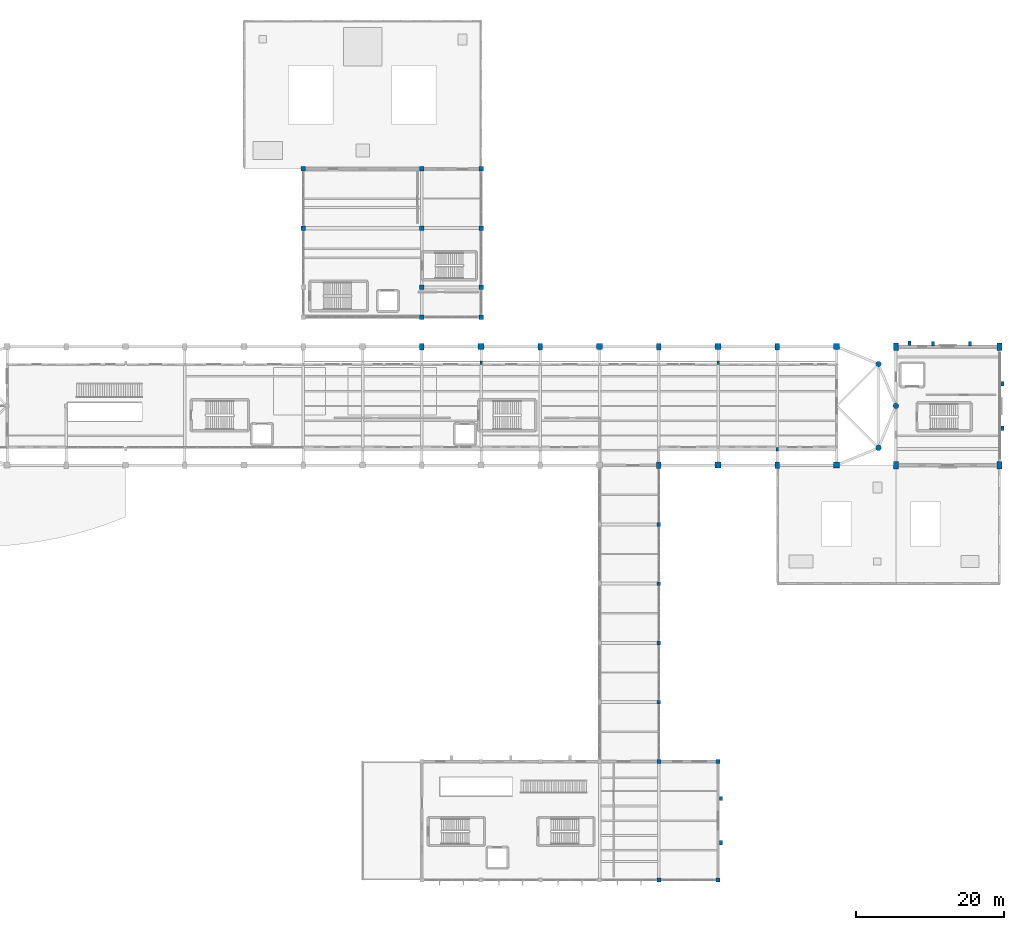
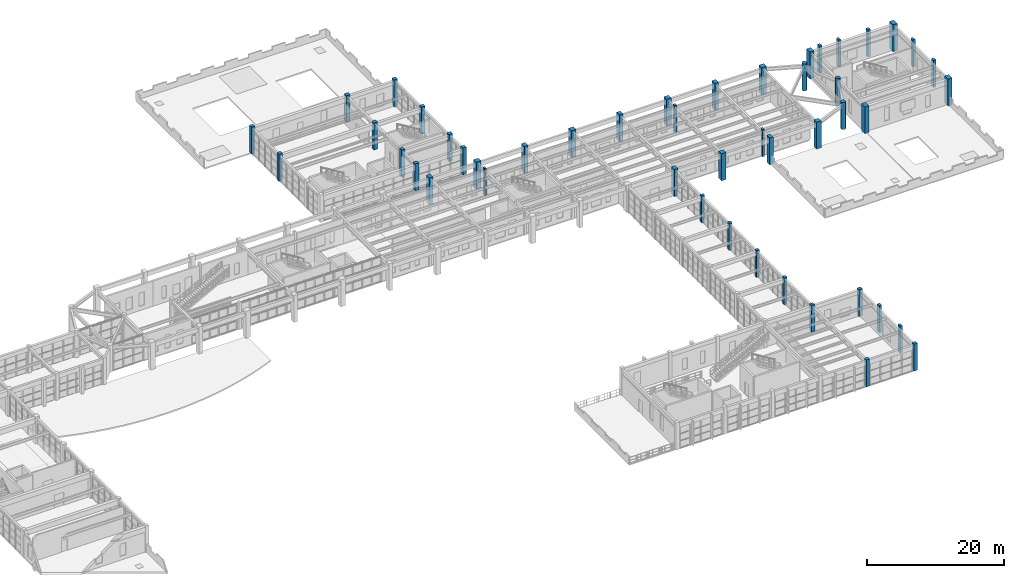
# One storey, part 2 of 59: 47 columns.
"""IFC4 building model written with IfcOpenShell, lengths in metres."""

import ifcopenshell
import ifcopenshell.guid

model = None  # the IFC model being written
_history = None  # IfcOwnerHistory: only IFC2X3 demands one
_inside = {}  # id of a spatial element -> (the spatial element, [elements in it])
_under = {}  # id of a project, library or spatial element -> (it, [spatial elements below it])
_declared = {}  # id of a project -> (the project, [libraries it declares])
_typed = {}  # id of a type object -> (the type object, [elements of that type])
_made_of = {}  # id of a material, layer set ... -> (it, [elements and type objects made of it])


def new_model(schema):
    """Start an empty IFC model of exactly this schema.

    Asked for "IFC4X3", IfcOpenShell would pick the latest addendum, in which some entities
    have other attributes; the version numbers below select the first issue.
    IFC2X3 requires an IfcOwnerHistory on every rooted entity: one is made here for all.
    """
    global model, _history
    if schema == "IFC4X3":
        model = ifcopenshell.file(schema_version=(4, 3, 0, 0))
    else:
        model = ifcopenshell.file(schema=schema)
    _inside.clear()
    _under.clear()
    _declared.clear()
    _typed.clear()
    _made_of.clear()
    _history = None
    if model.schema == "IFC2X3":
        org = make("IfcOrganization", Name="unknown")
        user = make(
            "IfcPersonAndOrganization",
            ThePerson=make("IfcPerson", FamilyName="unknown"),
            TheOrganization=org,
        )
        app = make(
            "IfcApplication",
            ApplicationDeveloper=org,
            Version="unknown",
            ApplicationFullName="unknown",
            ApplicationIdentifier="unknown",
        )
        _history = make(
            "IfcOwnerHistory",
            OwningUser=user,
            OwningApplication=app,
            ChangeAction="ADDED",
            CreationDate=0,
        )
    return model


def make(cls, **values):
    """One entity of the class cls with the attributes given. An attribute that is None is left unset."""
    return model.create_entity(
        cls, **{name: value for name, value in values.items() if value is not None}
    )


def rooted(cls, **values):
    """An entity with a GlobalId (a new one), such as an element, a storey or a relation."""
    return make(cls, GlobalId=ifcopenshell.guid.new(), OwnerHistory=_history, **values)


def si_unit(unit_type, name, prefix=None):
    """IfcSIUnit, for example si_unit("LENGTHUNIT", "METRE", prefix="MILLI")."""
    return make("IfcSIUnit", UnitType=unit_type, Prefix=prefix, Name=name)


def assignment(units):
    """IfcUnitAssignment: the units of a project."""
    return None if units is None else make("IfcUnitAssignment", Units=units)


def point(xyz):
    """IfcCartesianPoint."""
    return None if xyz is None else make("IfcCartesianPoint", Coordinates=xyz)


def direction(xyz):
    """IfcDirection."""
    return None if xyz is None else make("IfcDirection", DirectionRatios=xyz)


def frame(location, z_axis=None, x_axis=None):
    """IfcAxis2Placement3D, a coordinate frame: its origin and axes. An axis left out is left unset."""
    return make(
        "IfcAxis2Placement3D",
        Location=point(location),
        Axis=direction(z_axis),
        RefDirection=direction(x_axis),
    )


def frame_2d(location, x_axis=None):
    """IfcAxis2Placement2D, a coordinate frame in the plane: its origin and x axis."""
    return make(
        "IfcAxis2Placement2D", Location=point(location), RefDirection=direction(x_axis)
    )


def origin():
    """The frame at (0, 0, 0) with its axes left unset."""
    return frame((0.0, 0.0, 0.0))


def origin_2d():
    """The frame at (0, 0) in the plane with its x axis left unset."""
    return frame_2d((0.0, 0.0))


def place(relative_to, where):
    """IfcLocalPlacement: puts the frame where relative to a parent placement (None: the world)."""
    return make(
        "IfcLocalPlacement", PlacementRelTo=relative_to, RelativePlacement=where
    )


def context(
    kind, dimensions, precision=None, world=None, true_north=None, identifier=None
):
    """IfcGeometricRepresentationContext, for example the 3D "Model" context."""
    return make(
        "IfcGeometricRepresentationContext",
        ContextIdentifier=identifier,
        ContextType=kind,
        CoordinateSpaceDimension=dimensions,
        Precision=precision,
        WorldCoordinateSystem=world,
        TrueNorth=true_north,
    )


def subcontext(parent, identifier, kind, view, scale=None):
    """IfcGeometricRepresentationSubContext, for example "Body" below "Model"."""
    return make(
        "IfcGeometricRepresentationSubContext",
        ContextIdentifier=identifier,
        ContextType=kind,
        ParentContext=parent,
        TargetScale=scale,
        TargetView=view,
    )


def project(units=None, contexts=None):
    """IfcProject with its units and contexts."""
    return rooted(
        "IfcProject",
        Name="project",
        RepresentationContexts=contexts,
        UnitsInContext=assignment(units),
    )


def spatial(cls, under=None, at=None, **own):
    """A site, building, storey or space (cls), placed at a placement, below another one or the project."""
    s = rooted(cls, ObjectPlacement=at, **own)
    if under is not None:
        _under.setdefault(under.id(), (under, []))[1].append(s)
    return s


def profile(cls, at=None, kind="AREA", **sizes):
    """A parametric profile (cls). Its sizes go by their IFC names, for example OverallWidth=200.0."""
    return make(cls, ProfileType=kind, Position=at, **sizes)


def rectangle(**sizes):
    """IfcRectangleProfileDef."""
    return profile("IfcRectangleProfileDef", **sizes)


def circle(**sizes):
    """IfcCircleProfileDef."""
    return profile("IfcCircleProfileDef", **sizes)


def extrude(swept, where, along, depth):
    """IfcExtrudedAreaSolid: the profile swept, set in the frame where, extruded along a direction by depth."""
    return make(
        "IfcExtrudedAreaSolid",
        SweptArea=swept,
        Position=where,
        ExtrudedDirection=direction(along),
        Depth=depth,
    )


def shape(context_of_items, identifier, shape_type, items):
    """IfcShapeRepresentation: the items that make up one representation, for example the "Body"."""
    return make(
        "IfcShapeRepresentation",
        ContextOfItems=context_of_items,
        RepresentationIdentifier=identifier,
        RepresentationType=shape_type,
        Items=items,
    )


def material(Name=None, Category=None):
    """IfcMaterial."""
    return make("IfcMaterial", Name=Name, Category=Category)


def material_profile(
    of_material, cross_section, Name=None, Category=None, Priority=None
):
    """IfcMaterialProfile: a cross section and its material."""
    return make(
        "IfcMaterialProfile",
        Name=Name,
        Material=of_material,
        Profile=cross_section,
        Priority=Priority,
        Category=Category,
    )


def profile_set(profiles, Name=None, composite=None):
    """IfcMaterialProfileSet."""
    return make(
        "IfcMaterialProfileSet",
        Name=Name,
        MaterialProfiles=profiles,
        CompositeProfile=composite,
    )


def made_of(thing, what):
    """Note that an element or type object is made of a material, layer set ...; save() writes the relation."""
    if what is not None:
        _made_of.setdefault(what.id(), (what, []))[1].append(thing)
    return thing


def type_object(cls, material=None, **own):
    """A type object (cls), such as IfcWallType, which elements share."""
    return made_of(rooted(cls, **own), material)


def element(
    cls,
    number,
    at=None,
    inside=None,
    cuts=None,
    type_object=None,
    material=None,
    context=None,
    identifier="Body",
    shape_type=None,
    held_by="IfcProductDefinitionShape",
    body=None,
    shapes=None,
    **own,
):
    """One element of the class cls, such as IfcWall. Its Tag is "e" and its number.

    at: its placement. inside: the storey or other place that contains it. cuts: it is an
    opening in that element (IfcRelVoidsElement). A single representation is given by context,
    identifier, shape_type and body (its items); several are given by shapes. held_by: the class
    of the entity that holds the representations. save() writes the other relations.
    """
    e = rooted(cls, Tag="e%d" % number, ObjectPlacement=at, **own)
    if body is not None:
        shapes = [shape(context, identifier, shape_type, body)]
    if shapes is not None:
        e.Representation = make(held_by, Representations=shapes)
    if inside is not None:
        _inside.setdefault(inside.id(), (inside, []))[1].append(e)
    if cuts is not None:
        rooted(
            "IfcRelVoidsElement", RelatingBuildingElement=cuts, RelatedOpeningElement=e
        )
    if type_object is not None:
        _typed.setdefault(type_object.id(), (type_object, []))[1].append(e)
    return made_of(e, material)


def aggregate(whole, parts):
    """IfcRelAggregates: a whole, such as a stair, and the parts it consists of."""
    return rooted("IfcRelAggregates", RelatingObject=whole, RelatedObjects=parts)


def save(model, path):
    """Write the relations noted so far, then the file.

    IfcRelAggregates (storeys below a building ...), IfcRelContainedInSpatialStructure (elements
    in a storey), IfcRelDefinesByType, IfcRelAssociatesMaterial and IfcRelDeclares: one each for
    every whole, place, type object, material and project.
    """
    for whole, parts in _under.values():
        aggregate(whole, parts)
    for where, things in _inside.values():
        rooted(
            "IfcRelContainedInSpatialStructure",
            RelatedElements=things,
            RelatingStructure=where,
        )
    for kind, things in _typed.values():
        rooted("IfcRelDefinesByType", RelatedObjects=things, RelatingType=kind)
    for what, things in _made_of.values():
        rooted("IfcRelAssociatesMaterial", RelatedObjects=things, RelatingMaterial=what)
    for by, libraries in _declared.values():
        rooted("IfcRelDeclares", RelatingContext=by, RelatedDefinitions=libraries)
    model.write(path)


model = new_model("IFC4")

# Units and contexts
model_context = context("Model", 3, precision=1e-05, world=origin(), true_north=direction((0.0, 1.0)))
body_context = subcontext(model_context, "Body", "Model", "MODEL_VIEW")
ifc_project = project(units=[si_unit("LENGTHUNIT", "METRE"), si_unit("AREAUNIT", "SQUARE_METRE"), si_unit("VOLUMEUNIT", "CUBIC_METRE"), si_unit("PLANEANGLEUNIT", "RADIAN"), si_unit("MASSUNIT", "GRAM", prefix="KILO")], contexts=[model_context])

# Site, building, storey
site_placement = place(None, origin())
site = spatial("IfcSite", under=ifc_project, at=site_placement, CompositionType="ELEMENT")
building_placement = place(site_placement, origin())
building = spatial("IfcBuilding", under=site, at=building_placement, Name="Serraluz Foothill Cableway Terminal", CompositionType="ELEMENT")
storey_placement = place(building_placement, frame((0.0, 0.0, 4.800048828125)))
storey = spatial("IfcBuildingStorey", under=building, at=storey_placement, Name="L01", CompositionType="ELEMENT", Elevation=4.800048828125)

# Columns
ifc_material_1 = material(Name="Concrete C35/45 (f'c 35 MPa)", Category="concrete")
ifc_material_profile_1 = material_profile(ifc_material_1, rectangle(XDim=0.5, YDim=0.5, at=origin_2d()), Name="RC 500x500")
ifc_profile_set_1 = profile_set([ifc_material_profile_1], Name="Concrete C35/45 (f'c 35 MPa)")
column_type_1 = type_object("IfcColumnType", Name="TYP-COL-RC500", PredefinedType="COLUMN", material=ifc_profile_set_1)
for number, where, z_axis, x_axis, name in (
    (1, (128.0, 24.0, 0.0), (0.0, 0.0, 1.0), (1.0, 0.0, 0.0), "Column COL-V3-CL-128-24-L01"),
    (2, (128.0, 32.0, 0.0), (0.0, 0.0, 1.0), (1.0, 0.0, 0.0), "Column COL-V3-CL-128-32-L01"),
    (3, (128.0, 40.0, 0.0), (0.0, 0.0, 1.0), (1.0, 0.0, 0.0), "Column COL-V3-CL-128-40-L01"),
    (4, (128.0, 48.0, 0.0), (0.0, 0.0, 1.0), (1.0, 0.0, 0.0), "Column COL-V3-CL-128-48-L01"),
):
    element("IfcColumn", number, at=place(storey_placement, frame(where, z_axis=z_axis, x_axis=x_axis)), inside=storey, type_object=column_type_1, Name=name, PredefinedType="COLUMN", context=body_context, shape_type="SweptSolid", body=[
        extrude(rectangle(XDim=0.5, YDim=0.5, at=origin_2d()), origin(), (0.0, 0.0, 1.0), 4.800048828125),
    ])
ifc_material_profile_2 = material_profile(ifc_material_1, rectangle(XDim=0.550048828125, YDim=0.550048828125, at=origin_2d()), Name="RC 550x550")
ifc_profile_set_2 = profile_set([ifc_material_profile_2], Name="Concrete C35/45 (f'c 35 MPa)")
column_type_2 = type_object("IfcColumnType", Name="TYP-COL-RC550", PredefinedType="COLUMN", material=ifc_profile_set_2)
for number, where, z_axis, x_axis, name in (
    (5, (128.0, 0.0, 0.0), (0.0, 0.0, 1.0), (1.0, 0.0, 0.0), "Column COL-V3-128-0-L01"),
    (6, (128.0, 16.0, 0.0), (0.0, 0.0, 1.0), (1.0, 0.0, 0.0), "Column COL-V3-128-16-L01"),
    (7, (136.0, 0.0, 0.0), (0.0, 0.0, 1.0), (1.0, 0.0, 0.0), "Column COL-V3-136-0-L01"),
    (8, (136.0, 16.0, 0.0), (0.0, 0.0, 1.0), (1.0, 0.0, 0.0), "Column COL-V3-136-16-L01"),
):
    element("IfcColumn", number, at=place(storey_placement, frame(where, z_axis=z_axis, x_axis=x_axis)), inside=storey, type_object=column_type_2, Name=name, PredefinedType="COLUMN", context=body_context, shape_type="SweptSolid", body=[
        extrude(rectangle(XDim=0.550048828125, YDim=0.550048828125, at=origin_2d()), origin(), (0.0, 0.0, 1.0), 4.800048828125),
    ])
ifc_material_profile_3 = material_profile(ifc_material_1, rectangle(XDim=0.60009765625, YDim=0.60009765625, at=origin_2d()), Name="RC 600x600")
ifc_profile_set_3 = profile_set([ifc_material_profile_3], Name="Concrete C35/45 (f'c 35 MPa)")
column_type_3 = type_object("IfcColumnType", Name="TYP-COL-RC600", PredefinedType="COLUMN", material=ifc_profile_set_3)
for number, where, z_axis, x_axis, name in (
    (9, (80.0, 88.0, 0.0), (0.0, 0.0, 1.0), (1.0, 0.0, 0.0), "Column COL-V4-80-880-L01"),
    (10, (80.0, 96.0, 0.0), (0.0, 0.0, 1.0), (1.0, 0.0, 0.0), "Column COL-V4-80-960-L01"),
    (11, (96.0, 76.0, 0.0), (0.0, 0.0, 1.0), (1.0, 0.0, 0.0), "Column COL-V4-96-760-L01"),
    (12, (96.0, 80.0, 0.0), (0.0, 0.0, 1.0), (1.0, 0.0, 0.0), "Column COL-V4-96-800-L01"),
    (13, (96.0, 88.0, 0.0), (0.0, 0.0, 1.0), (1.0, 0.0, 0.0), "Column COL-V4-96-880-L01"),
    (14, (96.0, 96.0, 0.0), (0.0, 0.0, 1.0), (1.0, 0.0, 0.0), "Column COL-V4-96-960-L01"),
    (15, (104.0, 76.0, 0.0), (0.0, 0.0, 1.0), (1.0, 0.0, 0.0), "Column COL-V4-104-760-L01"),
    (16, (104.0, 80.0, 0.0), (0.0, 0.0, 1.0), (1.0, 0.0, 0.0), "Column COL-V4-104-800-L01"),
    (17, (104.0, 88.0, 0.0), (0.0, 0.0, 1.0), (1.0, 0.0, 0.0), "Column COL-V4-104-880-L01"),
    (18, (104.0, 96.0, 0.0), (0.0, 0.0, 1.0), (1.0, 0.0, 0.0), "Column COL-V4-104-960-L01"),
):
    element("IfcColumn", number, at=place(storey_placement, frame(where, z_axis=z_axis, x_axis=x_axis)), inside=storey, type_object=column_type_3, Name=name, PredefinedType="COLUMN", context=body_context, shape_type="SweptSolid", body=[
        extrude(rectangle(XDim=0.60009765625, YDim=0.60009765625, at=origin_2d()), origin(), (0.0, 0.0, 1.0), 4.800048828125),
    ])
ifc_material_profile_4 = material_profile(ifc_material_1, rectangle(XDim=0.60009765625, YDim=0.85009765625, at=origin_2d()), Name="RC 600x850")
ifc_profile_set_4 = profile_set([ifc_material_profile_4], Name="Concrete C35/45 (f'c 35 MPa)")
column_type_4 = type_object("IfcColumnType", Name="TYP-COL-RC600X850", PredefinedType="COLUMN", material=ifc_profile_set_4)
for number, where, z_axis, x_axis, name in (
    (19, (96.0, 72.0, 0.0), (0.0, 0.0, 1.0), (1.0, 0.0, 0.0), "Column COL-V1-N-96-L01"),
    (20, (112.0, 72.0, 0.0), (0.0, 0.0, 1.0), (1.0, 0.0, 0.0), "Column COL-V1-N-112-L01"),
    (21, (128.0, 56.0, 0.0), (0.0, 0.0, 1.0), (1.0, 0.0, 0.0), "Column COL-V1-S-128-L01"),
    (22, (128.0, 72.0, 0.0), (0.0, 0.0, 1.0), (1.0, 0.0, 0.0), "Column COL-V1-N-128-L01"),
    (23, (144.0, 56.0, 0.0), (0.0, 0.0, 1.0), (1.0, 0.0, 0.0), "Column COL-V1-S-144-L01"),
    (24, (144.0, 72.0, 0.0), (0.0, 0.0, 1.0), (1.0, 0.0, 0.0), "Column COL-V1-N-144-L01"),
):
    element("IfcColumn", number, at=place(storey_placement, frame(where, z_axis=z_axis, x_axis=x_axis)), inside=storey, type_object=column_type_4, Name=name, PredefinedType="COLUMN", context=body_context, shape_type="SweptSolid", body=[
        extrude(rectangle(XDim=0.60009765625, YDim=0.85009765625, at=origin_2d()), origin(), (0.0, 0.0, 1.0), 4.800048828125),
    ])
ifc_material_profile_5 = material_profile(ifc_material_1, rectangle(XDim=0.699951171875, YDim=1.0, at=origin_2d()), Name="RC 700x1000")
ifc_profile_set_5 = profile_set([ifc_material_profile_5], Name="Concrete C35/45 (f'c 35 MPa)")
column_type_5 = type_object("IfcColumnType", Name="TYP-COL-RC700X1000", PredefinedType="COLUMN", material=ifc_profile_set_5)
for number, where, z_axis, x_axis, name in (
    (25, (160.0, 56.0, 0.0), (0.0, 0.0, 1.0), (1.0, 0.0, 0.0), "Column COL-V2-160-56-L01"),
    (26, (160.0, 72.0, 0.0), (0.0, 0.0, 1.0), (1.0, 0.0, 0.0), "Column COL-V2-160-72-L01"),
    (27, (174.0, 56.0, 0.0), (0.0, 0.0, 1.0), (1.0, 0.0, 0.0), "Column COL-V2-174-56-L01"),
    (28, (174.0, 72.0, 0.0), (0.0, 0.0, 1.0), (1.0, 0.0, 0.0), "Column COL-V2-174-72-L01"),
):
    element("IfcColumn", number, at=place(storey_placement, frame(where, z_axis=z_axis, x_axis=x_axis)), inside=storey, type_object=column_type_5, Name=name, PredefinedType="COLUMN", context=body_context, shape_type="SweptSolid", body=[
        extrude(rectangle(XDim=0.699951171875, YDim=1.0, at=origin_2d()), origin(), (0.0, 0.0, 1.0), 4.800048828125),
    ])
ifc_material_profile_6 = material_profile(ifc_material_1, rectangle(XDim=0.800048828125, YDim=0.800048828125, at=origin_2d()), Name="RC 800x800")
ifc_profile_set_6 = profile_set([ifc_material_profile_6], Name="Concrete C35/45 (f'c 35 MPa)")
column_type_6 = type_object("IfcColumnType", Name="TYP-COL-RC800", PredefinedType="COLUMN", material=ifc_profile_set_6)
for number, where, z_axis, x_axis, name in (
    (29, (104.0, 72.0, 0.0), (0.0, 0.0, 1.0), (1.0, 0.0, 0.0), "Column COL-V1-N-104-L01"),
    (30, (120.0, 72.0, 0.0), (0.0, 0.0, 1.0), (1.0, 0.0, 0.0), "Column COL-V1-N-120-L01"),
    (31, (136.0, 56.0, 0.0), (0.0, 0.0, 1.0), (1.0, 0.0, 0.0), "Column COL-V1-S-136-L01"),
    (32, (136.0, 72.0, 0.0), (0.0, 0.0, 1.0), (1.0, 0.0, 0.0), "Column COL-V1-N-136-L01"),
    (33, (152.0, 56.0, 0.0), (0.0, 0.0, 1.0), (1.0, 0.0, 0.0), "Column COL-V1-S-152-L01"),
    (34, (152.0, 72.0, 0.0), (0.0, 0.0, 1.0), (1.0, 0.0, 0.0), "Column COL-V1-N-152-L01"),
):
    element("IfcColumn", number, at=place(storey_placement, frame(where, z_axis=z_axis, x_axis=x_axis)), inside=storey, type_object=column_type_6, Name=name, PredefinedType="COLUMN", context=body_context, shape_type="SweptSolid", body=[
        extrude(rectangle(XDim=0.800048828125, YDim=0.800048828125, at=origin_2d()), origin(), (0.0, 0.0, 1.0), 4.800048828125),
    ])
ifc_material_profile_7 = material_profile(ifc_material_1, circle(Radius=0.375, at=origin_2d()), Name="RC D750")
ifc_profile_set_7 = profile_set([ifc_material_profile_7], Name="Concrete C35/45 (f'c 35 MPa)")
column_type_7 = type_object("IfcColumnType", Name="TYP-COL-RCD750", PredefinedType="COLUMN", material=ifc_profile_set_7)
for number, where, z_axis, x_axis, name in (
    (35, (157.656982421875, 58.343017578125, 0.0), (0.0, 0.0, 1.0), (1.0, 0.0, 0.0), "Column COL-V1-ARC-E1-L01"),
    (36, (160.0, 64.0, 0.0), (0.0, 0.0, 1.0), (1.0, 0.0, 0.0), "Column COL-V1-ARC-E2-L01"),
    (37, (157.656982421875, 69.656982421875, 0.0), (0.0, 0.0, 1.0), (1.0, 0.0, 0.0), "Column COL-V1-ARC-E3-L01"),
):
    element("IfcColumn", number, at=place(storey_placement, frame(where, z_axis=z_axis, x_axis=x_axis)), inside=storey, type_object=column_type_7, Name=name, PredefinedType="COLUMN", context=body_context, shape_type="SweptSolid", body=[
        extrude(circle(Radius=0.375, at=origin_2d()), origin(), (0.0, 0.0, 1.0), 4.800048828125),
    ])
ifc_material_2 = material(Name="Dark clinker clay masonry brick (f'm 14 MPa)", Category="masonry")
ifc_material_profile_8 = material_profile(ifc_material_2, rectangle(XDim=0.35009765625, YDim=0.5, at=origin_2d()), Name="PIL 350x500")
ifc_profile_set_8 = profile_set([ifc_material_profile_8], Name="Dark clinker clay masonry brick (f'm 14 MPa)")
column_type_8 = type_object("IfcColumnType", Name="TYP-PIL-350X500", PredefinedType="PILASTER", material=ifc_profile_set_8)
for number, where, z_axis, x_axis, name in (
    (38, (144.0, 58.14990234375, 0.0), (0.0, 0.0, 1.0), (1.0, 0.0, 0.0), "Brick Pilaster Pier PL-05 L01"),
    (39, (104.0, 69.85009765625, 0.0), (0.0, 0.0, 1.0), (1.0, 0.0, 0.0), "Brick Pilaster Pier PL-09 L01"),
    (40, (136.0, 69.85009765625, 0.0), (0.0, 0.0, 1.0), (1.0, 0.0, 0.0), "Brick Pilaster Pier PL-10 L01"),
):
    element("IfcColumn", number, at=place(storey_placement, frame(where, z_axis=z_axis, x_axis=x_axis)), inside=storey, type_object=column_type_8, Name=name, PredefinedType="PILASTER", context=body_context, shape_type="SweptSolid", body=[
        extrude(rectangle(XDim=0.35009765625, YDim=0.5, at=origin_2d()), origin(), (0.0, 0.0, 1.0), 4.800048828125),
    ])
ifc_material_3 = material(Name="Fired clay masonry brick (f'm 12 MPa)", Category="masonry")
ifc_material_profile_9 = material_profile(ifc_material_3, rectangle(XDim=0.39990234375, YDim=0.60009765625, at=origin_2d()), Name="PIL 400x600")
ifc_profile_set_9 = profile_set([ifc_material_profile_9], Name="Fired clay masonry brick (f'm 12 MPa)")
column_type_9 = type_object("IfcColumnType", Name="TYP-PIL-400X600", PredefinedType="PILASTER", material=ifc_profile_set_9)
for number, where, z_axis, x_axis, name in (
    (41, (174.39990234375, 61.0, 0.0), (0.0, 0.0, 1.0), (1.0, 0.0, 0.0), "Brick Pilaster Pier PL-14 L01"),
    (42, (174.39990234375, 67.0, 0.0), (0.0, 0.0, 1.0), (1.0, 0.0, 0.0), "Brick Pilaster Pier PL-15 L01"),
    (43, (165.0, 72.419921875, 0.0), (0.0, 0.0, 1.0), (1.0, 0.0, 0.0), "Brick Pilaster Pier PL-16 L01"),
    (44, (170.0, 72.419921875, 0.0), (0.0, 0.0, 1.0), (1.0, 0.0, 0.0), "Brick Pilaster Pier PL-17 L01"),
    (45, (136.419921875, 5.0, 0.0), (0.0, 0.0, 1.0), (1.0, 0.0, 0.0), "Brick Pilaster Pier PL-23 L01"),
    (46, (136.419921875, 11.0, 0.0), (0.0, 0.0, 1.0), (1.0, 0.0, 0.0), "Brick Pilaster Pier PL-24 L01"),
    (47, (161.85009765625, 72.43994140625, 0.0), (0.0, 0.0, 1.0), (1.0, 0.0, 0.0), "Brick Pilaster Pier PL-33 L01"),
):
    element("IfcColumn", number, at=place(storey_placement, frame(where, z_axis=z_axis, x_axis=x_axis)), inside=storey, type_object=column_type_9, Name=name, PredefinedType="PILASTER", context=body_context, shape_type="SweptSolid", body=[
        extrude(rectangle(XDim=0.39990234375, YDim=0.60009765625, at=origin_2d()), origin(), (0.0, 0.0, 1.0), 4.800048828125),
    ])

save(model, "model.ifc")
